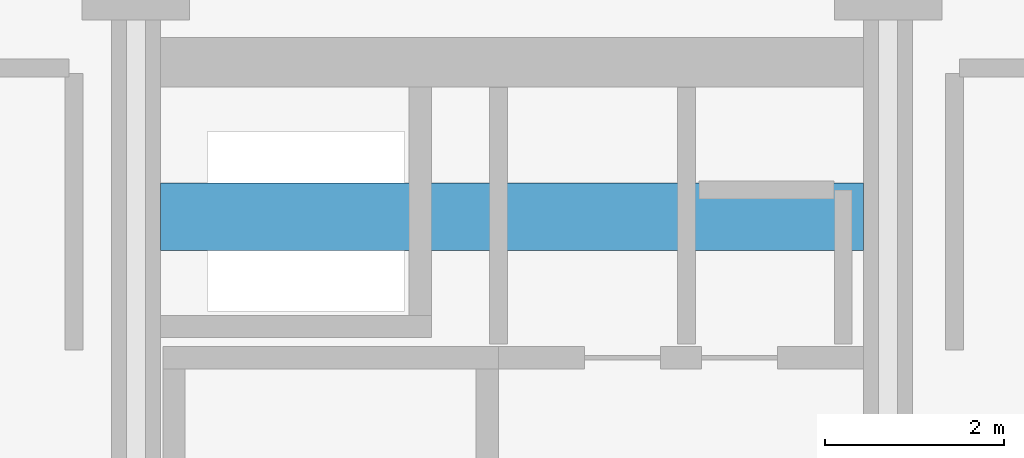
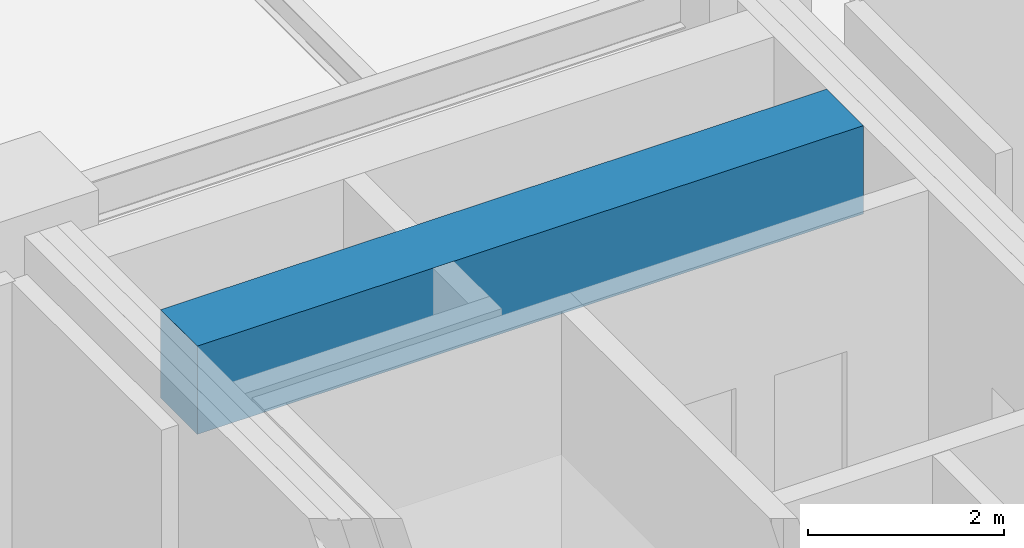
# One storey, part 17 of 30: 1 beam.
"""IFC4 building model written with IfcOpenShell, lengths in metres."""

from ifc_helpers import new_model, si_unit, direction, frame, origin, origin_2d, place, context, subcontext, project, spatial, rectangle, extrude, material, material_profile, profile_set, type_object, element, save


model = new_model("IFC4")

# Units and contexts
model_context = context("Model", 3, precision=1e-05, world=origin(), true_north=direction((0.0, 1.0)))
body_context = subcontext(model_context, "Body", "Model", "MODEL_VIEW")
ifc_project = project(units=[si_unit("LENGTHUNIT", "METRE"), si_unit("AREAUNIT", "SQUARE_METRE"), si_unit("VOLUMEUNIT", "CUBIC_METRE"), si_unit("PLANEANGLEUNIT", "RADIAN"), si_unit("MASSUNIT", "GRAM", prefix="KILO")], contexts=[model_context])

# Site, building, storey
site_placement = place(None, origin())
site = spatial("IfcSite", under=ifc_project, at=site_placement, CompositionType="ELEMENT")
building_placement = place(site_placement, origin())
building = spatial("IfcBuilding", under=site, at=building_placement, Name="Nerrivon Quay Data Exchange", CompositionType="ELEMENT")
storey_placement = place(building_placement, frame((0.0, 0.0, 141.800048828125)))
storey = spatial("IfcBuildingStorey", under=building, at=storey_placement, Name="L33", CompositionType="ELEMENT", Elevation=141.800048828125)

# Beam
ifc_material = material(Name="Concrete S65 (65 MPa)", Category="concrete")
ifc_material_profile = material_profile(ifc_material, rectangle(XDim=0.75, YDim=1.10009765625, at=origin_2d()), Name="RC-CB-750x1100")
ifc_profile_set = profile_set([ifc_material_profile], Name="Concrete S65 (65 MPa)")
beam_type = type_object("IfcBeamType", Name="BM-CB1-750x1100", PredefinedType="LINTEL", material=ifc_profile_set)
beam_placement = place(storey_placement, frame((8.675048828125, 39.199951171875, 3.27490234375), z_axis=(1.0, 0.0, 0.0), x_axis=(0.0, 1.0, 0.0)))
element("IfcBeam", 1, at=beam_placement, inside=storey, type_object=beam_type, Name="L33 West Core Coupling Beam", PredefinedType="LINTEL", context=body_context, shape_type="SweptSolid", body=[
    extrude(rectangle(XDim=0.75, YDim=1.10009765625, at=origin_2d()), origin(), (0.0, 0.0, 1.0), 7.849853515625),
])

save(model, "model.ifc")
